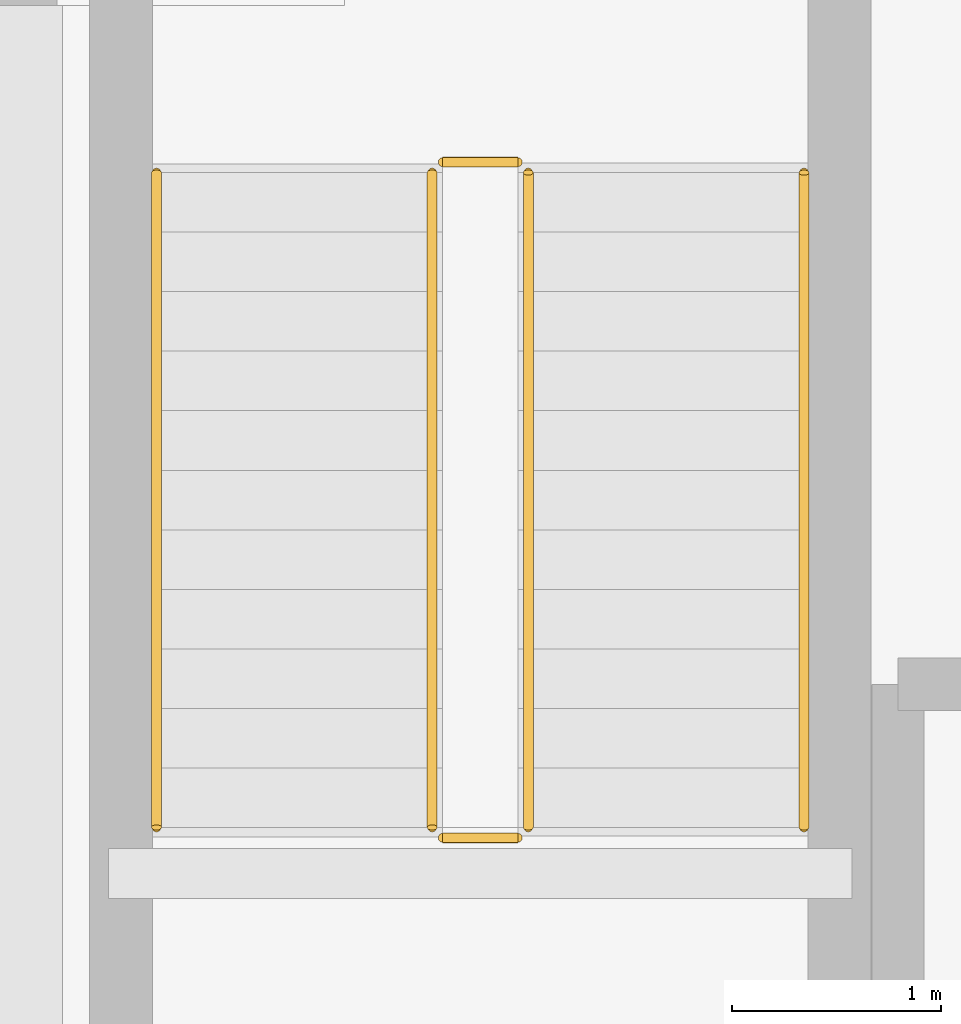
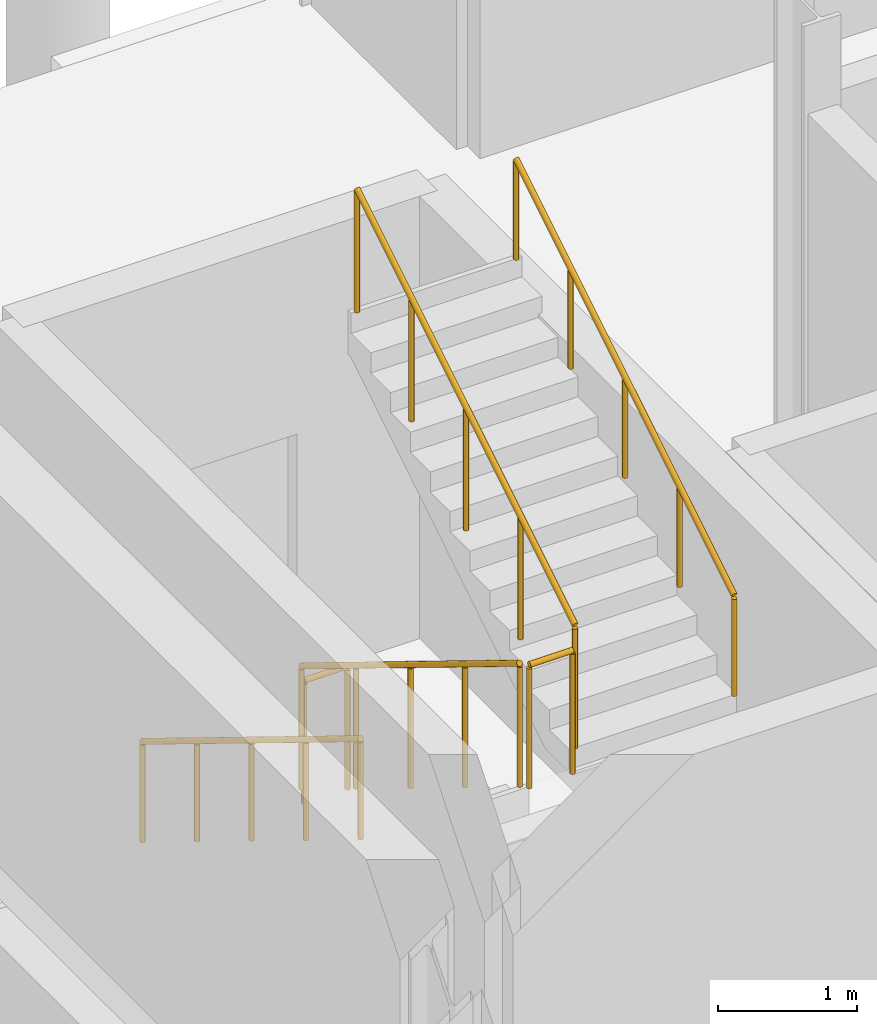
# One storey, part 45 of 50: 6 railings.
"""IFC4 building model written with IfcOpenShell, lengths in metres."""

import ifcopenshell
import ifcopenshell.guid

model = None  # the IFC model being written
_history = None  # IfcOwnerHistory: only IFC2X3 demands one
_inside = {}  # id of a spatial element -> (the spatial element, [elements in it])
_under = {}  # id of a project, library or spatial element -> (it, [spatial elements below it])
_declared = {}  # id of a project -> (the project, [libraries it declares])
_typed = {}  # id of a type object -> (the type object, [elements of that type])
_made_of = {}  # id of a material, layer set ... -> (it, [elements and type objects made of it])


def new_model(schema):
    """Start an empty IFC model of exactly this schema.

    Asked for "IFC4X3", IfcOpenShell would pick the latest addendum, in which some entities
    have other attributes; the version numbers below select the first issue.
    IFC2X3 requires an IfcOwnerHistory on every rooted entity: one is made here for all.
    """
    global model, _history
    if schema == "IFC4X3":
        model = ifcopenshell.file(schema_version=(4, 3, 0, 0))
    else:
        model = ifcopenshell.file(schema=schema)
    _inside.clear()
    _under.clear()
    _declared.clear()
    _typed.clear()
    _made_of.clear()
    _history = None
    if model.schema == "IFC2X3":
        org = make("IfcOrganization", Name="unknown")
        user = make(
            "IfcPersonAndOrganization",
            ThePerson=make("IfcPerson", FamilyName="unknown"),
            TheOrganization=org,
        )
        app = make(
            "IfcApplication",
            ApplicationDeveloper=org,
            Version="unknown",
            ApplicationFullName="unknown",
            ApplicationIdentifier="unknown",
        )
        _history = make(
            "IfcOwnerHistory",
            OwningUser=user,
            OwningApplication=app,
            ChangeAction="ADDED",
            CreationDate=0,
        )
    return model


def make(cls, **values):
    """One entity of the class cls with the attributes given. An attribute that is None is left unset."""
    return model.create_entity(
        cls, **{name: value for name, value in values.items() if value is not None}
    )


def rooted(cls, **values):
    """An entity with a GlobalId (a new one), such as an element, a storey or a relation."""
    return make(cls, GlobalId=ifcopenshell.guid.new(), OwnerHistory=_history, **values)


def si_unit(unit_type, name, prefix=None):
    """IfcSIUnit, for example si_unit("LENGTHUNIT", "METRE", prefix="MILLI")."""
    return make("IfcSIUnit", UnitType=unit_type, Prefix=prefix, Name=name)


def assignment(units):
    """IfcUnitAssignment: the units of a project."""
    return None if units is None else make("IfcUnitAssignment", Units=units)


def point(xyz):
    """IfcCartesianPoint."""
    return None if xyz is None else make("IfcCartesianPoint", Coordinates=xyz)


def direction(xyz):
    """IfcDirection."""
    return None if xyz is None else make("IfcDirection", DirectionRatios=xyz)


def frame(location, z_axis=None, x_axis=None):
    """IfcAxis2Placement3D, a coordinate frame: its origin and axes. An axis left out is left unset."""
    return make(
        "IfcAxis2Placement3D",
        Location=point(location),
        Axis=direction(z_axis),
        RefDirection=direction(x_axis),
    )


def frame_2d(location, x_axis=None):
    """IfcAxis2Placement2D, a coordinate frame in the plane: its origin and x axis."""
    return make(
        "IfcAxis2Placement2D", Location=point(location), RefDirection=direction(x_axis)
    )


def origin():
    """The frame at (0, 0, 0) with its axes left unset."""
    return frame((0.0, 0.0, 0.0))


def origin_2d():
    """The frame at (0, 0) in the plane with its x axis left unset."""
    return frame_2d((0.0, 0.0))


def place(relative_to, where):
    """IfcLocalPlacement: puts the frame where relative to a parent placement (None: the world)."""
    return make(
        "IfcLocalPlacement", PlacementRelTo=relative_to, RelativePlacement=where
    )


def context(
    kind, dimensions, precision=None, world=None, true_north=None, identifier=None
):
    """IfcGeometricRepresentationContext, for example the 3D "Model" context."""
    return make(
        "IfcGeometricRepresentationContext",
        ContextIdentifier=identifier,
        ContextType=kind,
        CoordinateSpaceDimension=dimensions,
        Precision=precision,
        WorldCoordinateSystem=world,
        TrueNorth=true_north,
    )


def subcontext(parent, identifier, kind, view, scale=None):
    """IfcGeometricRepresentationSubContext, for example "Body" below "Model"."""
    return make(
        "IfcGeometricRepresentationSubContext",
        ContextIdentifier=identifier,
        ContextType=kind,
        ParentContext=parent,
        TargetScale=scale,
        TargetView=view,
    )


def project(units=None, contexts=None):
    """IfcProject with its units and contexts."""
    return rooted(
        "IfcProject",
        Name="project",
        RepresentationContexts=contexts,
        UnitsInContext=assignment(units),
    )


def spatial(cls, under=None, at=None, **own):
    """A site, building, storey or space (cls), placed at a placement, below another one or the project."""
    s = rooted(cls, ObjectPlacement=at, **own)
    if under is not None:
        _under.setdefault(under.id(), (under, []))[1].append(s)
    return s


def profile(cls, at=None, kind="AREA", **sizes):
    """A parametric profile (cls). Its sizes go by their IFC names, for example OverallWidth=200.0."""
    return make(cls, ProfileType=kind, Position=at, **sizes)


def circle(**sizes):
    """IfcCircleProfileDef."""
    return profile("IfcCircleProfileDef", **sizes)


def extrude(swept, where, along, depth):
    """IfcExtrudedAreaSolid: the profile swept, set in the frame where, extruded along a direction by depth."""
    return make(
        "IfcExtrudedAreaSolid",
        SweptArea=swept,
        Position=where,
        ExtrudedDirection=direction(along),
        Depth=depth,
    )


def shape(context_of_items, identifier, shape_type, items):
    """IfcShapeRepresentation: the items that make up one representation, for example the "Body"."""
    return make(
        "IfcShapeRepresentation",
        ContextOfItems=context_of_items,
        RepresentationIdentifier=identifier,
        RepresentationType=shape_type,
        Items=items,
    )


def material(Name=None, Category=None):
    """IfcMaterial."""
    return make("IfcMaterial", Name=Name, Category=Category)


def layer(
    of_material, thickness, ventilated=None, Name=None, Category=None, Priority=None
):
    """IfcMaterialLayer: one layer of a wall or slab, of a material (None: an air gap)."""
    return make(
        "IfcMaterialLayer",
        Material=of_material,
        LayerThickness=thickness,
        IsVentilated=ventilated,
        Name=Name,
        Category=Category,
        Priority=Priority,
    )


def layer_set(layers, Name=None):
    """IfcMaterialLayerSet."""
    return make("IfcMaterialLayerSet", MaterialLayers=layers, LayerSetName=Name)


def made_of(thing, what):
    """Note that an element or type object is made of a material, layer set ...; save() writes the relation."""
    if what is not None:
        _made_of.setdefault(what.id(), (what, []))[1].append(thing)
    return thing


def type_object(cls, material=None, **own):
    """A type object (cls), such as IfcWallType, which elements share."""
    return made_of(rooted(cls, **own), material)


def element(
    cls,
    number,
    at=None,
    inside=None,
    cuts=None,
    type_object=None,
    material=None,
    context=None,
    identifier="Body",
    shape_type=None,
    held_by="IfcProductDefinitionShape",
    body=None,
    shapes=None,
    **own,
):
    """One element of the class cls, such as IfcWall. Its Tag is "e" and its number.

    at: its placement. inside: the storey or other place that contains it. cuts: it is an
    opening in that element (IfcRelVoidsElement). A single representation is given by context,
    identifier, shape_type and body (its items); several are given by shapes. held_by: the class
    of the entity that holds the representations. save() writes the other relations.
    """
    e = rooted(cls, Tag="e%d" % number, ObjectPlacement=at, **own)
    if body is not None:
        shapes = [shape(context, identifier, shape_type, body)]
    if shapes is not None:
        e.Representation = make(held_by, Representations=shapes)
    if inside is not None:
        _inside.setdefault(inside.id(), (inside, []))[1].append(e)
    if cuts is not None:
        rooted(
            "IfcRelVoidsElement", RelatingBuildingElement=cuts, RelatedOpeningElement=e
        )
    if type_object is not None:
        _typed.setdefault(type_object.id(), (type_object, []))[1].append(e)
    return made_of(e, material)


def aggregate(whole, parts):
    """IfcRelAggregates: a whole, such as a stair, and the parts it consists of."""
    return rooted("IfcRelAggregates", RelatingObject=whole, RelatedObjects=parts)


def save(model, path):
    """Write the relations noted so far, then the file.

    IfcRelAggregates (storeys below a building ...), IfcRelContainedInSpatialStructure (elements
    in a storey), IfcRelDefinesByType, IfcRelAssociatesMaterial and IfcRelDeclares: one each for
    every whole, place, type object, material and project.
    """
    for whole, parts in _under.values():
        aggregate(whole, parts)
    for where, things in _inside.values():
        rooted(
            "IfcRelContainedInSpatialStructure",
            RelatedElements=things,
            RelatingStructure=where,
        )
    for kind, things in _typed.values():
        rooted("IfcRelDefinesByType", RelatedObjects=things, RelatingType=kind)
    for what, things in _made_of.values():
        rooted("IfcRelAssociatesMaterial", RelatedObjects=things, RelatingMaterial=what)
    for by, libraries in _declared.values():
        rooted("IfcRelDeclares", RelatingContext=by, RelatedDefinitions=libraries)
    model.write(path)


model = new_model("IFC4")

# Units and contexts
model_context = context("Model", 3, precision=1e-05, world=origin(), true_north=direction((0.0, 1.0)))
body_context = subcontext(model_context, "Body", "Model", "MODEL_VIEW")
ifc_project = project(units=[si_unit("LENGTHUNIT", "METRE"), si_unit("AREAUNIT", "SQUARE_METRE"), si_unit("VOLUMEUNIT", "CUBIC_METRE"), si_unit("PLANEANGLEUNIT", "RADIAN"), si_unit("MASSUNIT", "GRAM", prefix="KILO")], contexts=[model_context])

# Site, building, storey
site_placement = place(None, origin())
site = spatial("IfcSite", under=ifc_project, at=site_placement, CompositionType="ELEMENT")
building_placement = place(site_placement, origin())
building = spatial("IfcBuilding", under=site, at=building_placement, Name="Narikvali Park Central Library", CompositionType="ELEMENT")
storey_placement = place(building_placement, frame((0.0, 0.0, -4.199951171875)))
storey = spatial("IfcBuildingStorey", under=building, at=storey_placement, Name="B1", CompositionType="ELEMENT", Elevation=-4.199951171875)

# Railings
ifc_material_1 = material(Name="Brushed Stainless Steel S355", Category="steel")
ifc_layer_1 = layer(ifc_material_1, 0.044921875, Name="Brushed Stainless Steel S355")
ifc_layer_set_1 = layer_set([ifc_layer_1], Name="Brushed Stainless Steel S355")
railing_type_1 = type_object("IfcRailingType", Name="Stair Tubular Steel Handrail 900", PredefinedType="HANDRAIL", material=ifc_layer_set_1)
railing_1_placement = place(storey_placement, frame((123.10009765625, 19.89990234375, 0.175048828125)))
element("IfcRailing", 1, at=railing_1_placement, inside=storey, type_object=railing_type_1, Name="B1 ST-11 stair handrail 1", PredefinedType="HANDRAIL", context=body_context, shape_type="SweptSolid", body=[
    extrude(circle(Radius=0.02392578125, at=origin_2d()), frame((0.0, 0.0, 0.8759765625), z_axis=(0.0, -0.852195625947, 0.523223293744), x_axis=(1.0, 0.0, 0.0)), (0.0, 0.0, 1.0), 3.6787109375),
    extrude(circle(Radius=0.02099609375, at=origin_2d()), origin(), (0.0, 0.0, 1.0), 0.851806640625),
    extrude(circle(Radius=0.02099609375, at=origin_2d()), frame((0.0, -0.78369140625, 0.481201171875)), (0.0, 0.0, 1.0), 0.851806640625),
    extrude(circle(Radius=0.02099609375, at=origin_2d()), frame((0.0, -1.5673828125, 0.96240234375)), (0.0, 0.0, 1.0), 0.851806640625),
    extrude(circle(Radius=0.02099609375, at=origin_2d()), frame((0.0, -2.351318359375, 1.443603515625)), (0.0, 0.0, 1.0), 0.851806640625),
    extrude(circle(Radius=0.02099609375, at=origin_2d()), frame((0.0, -3.135009765625, 1.9248046875)), (0.0, 0.0, 1.0), 0.851806640625),
])
railing_2_placement = place(storey_placement, frame((126.199951171875, 16.764892578125, 2.27490234375)))
element("IfcRailing", 2, at=railing_2_placement, inside=storey, type_object=railing_type_1, Name="B1 ST-11 stair handrail 2", PredefinedType="HANDRAIL", context=body_context, shape_type="SweptSolid", body=[
    extrude(circle(Radius=0.02392578125, at=origin_2d()), frame((0.0, 0.0, 0.8759765625), z_axis=(0.0, 0.852166034122, 0.523271488128), x_axis=(-1.0, 0.0, 0.0)), (0.0, 0.0, 1.0), 3.678955078125),
    extrude(circle(Radius=0.02099609375, at=origin_2d()), origin(), (0.0, 0.0, 1.0), 0.851806640625),
    extrude(circle(Radius=0.02099609375, at=origin_2d()), frame((0.0, 0.78369140625, 0.481201171875)), (0.0, 0.0, 1.0), 0.851806640625),
    extrude(circle(Radius=0.02099609375, at=origin_2d()), frame((0.0, 1.5673828125, 0.96240234375)), (0.0, 0.0, 1.0), 0.851806640625),
    extrude(circle(Radius=0.02099609375, at=origin_2d()), frame((0.0, 2.351318359375, 1.44384765625)), (0.0, 0.0, 1.0), 0.851806640625),
    extrude(circle(Radius=0.02099609375, at=origin_2d()), frame((0.0, 3.135009765625, 1.925048828125)), (0.0, 0.0, 1.0), 0.851806640625),
])
ifc_material_2 = material(Name="Powder-Coated Steel S275", Category="steel")
ifc_layer_2 = layer(ifc_material_2, 0.050048828125, Name="Powder-Coated Steel S275")
ifc_layer_set_2 = layer_set([ifc_layer_2], Name="Powder-Coated Steel S275")
railing_type_2 = type_object("IfcRailingType", Name="Stair Well Steel Guardrail 1100", PredefinedType="GUARDRAIL", material=ifc_layer_set_2)
railing_3_placement = place(storey_placement, frame((124.419921875, 19.89990234375, 0.175048828125)))
element("IfcRailing", 3, at=railing_3_placement, inside=storey, type_object=railing_type_2, Name="B1 ST-11 stair guard 1", PredefinedType="GUARDRAIL", context=body_context, shape_type="SweptSolid", body=[
    extrude(circle(Radius=0.02392578125, at=origin_2d()), frame((0.0, 0.0, 1.076171875), z_axis=(0.0, -0.852195625947, 0.523223293744), x_axis=(1.0, 0.0, 0.0)), (0.0, 0.0, 1.0), 3.6787109375),
    extrude(circle(Radius=0.02099609375, at=origin_2d()), origin(), (0.0, 0.0, 1.0), 1.052001953125),
    extrude(circle(Radius=0.02099609375, at=origin_2d()), frame((0.0, -0.78369140625, 0.481201171875)), (0.0, 0.0, 1.0), 1.052001953125),
    extrude(circle(Radius=0.02099609375, at=origin_2d()), frame((0.0, -1.5673828125, 0.96240234375)), (0.0, 0.0, 1.0), 1.052001953125),
    extrude(circle(Radius=0.02099609375, at=origin_2d()), frame((0.0, -2.351318359375, 1.443603515625)), (0.0, 0.0, 1.0), 1.052001953125),
    extrude(circle(Radius=0.02099609375, at=origin_2d()), frame((0.0, -3.135009765625, 1.9248046875)), (0.0, 0.0, 1.0), 1.052001953125),
])
railing_4_placement = place(storey_placement, frame((124.469970703125, 16.715087890625, 2.099853515625)))
element("IfcRailing", 4, at=railing_4_placement, inside=storey, type_object=railing_type_2, Name="B1 ST-11 stair guard 2", PredefinedType="GUARDRAIL", context=body_context, shape_type="SweptSolid", body=[
    extrude(circle(Radius=0.02392578125, at=origin_2d()), frame((0.0, 0.0, 1.076171875), z_axis=(1.0, 0.0, 0.0), x_axis=(0.0, 1.0, 0.0)), (0.0, 0.0, 1.0), 0.360107421875),
    extrude(circle(Radius=0.02099609375, at=origin_2d()), origin(), (0.0, 0.0, 1.0), 1.052001953125),
    extrude(circle(Radius=0.02099609375, at=origin_2d()), frame((0.360107421875, 0.0, 0.0)), (0.0, 0.0, 1.0), 1.052001953125),
])
railing_5_placement = place(storey_placement, frame((124.8798828125, 16.764892578125, 2.27490234375)))
element("IfcRailing", 5, at=railing_5_placement, inside=storey, type_object=railing_type_2, Name="B1 ST-11 stair guard 3", PredefinedType="GUARDRAIL", context=body_context, shape_type="SweptSolid", body=[
    extrude(circle(Radius=0.02392578125, at=origin_2d()), frame((0.0, 0.0, 1.076171875), z_axis=(0.0, 0.852166034122, 0.523271488128), x_axis=(-1.0, 0.0, 0.0)), (0.0, 0.0, 1.0), 3.678955078125),
    extrude(circle(Radius=0.02099609375, at=origin_2d()), origin(), (0.0, 0.0, 1.0), 1.052001953125),
    extrude(circle(Radius=0.02099609375, at=origin_2d()), frame((0.0, 0.78369140625, 0.481201171875)), (0.0, 0.0, 1.0), 1.052001953125),
    extrude(circle(Radius=0.02099609375, at=origin_2d()), frame((0.0, 1.5673828125, 0.96240234375)), (0.0, 0.0, 1.0), 1.052001953125),
    extrude(circle(Radius=0.02099609375, at=origin_2d()), frame((0.0, 2.351318359375, 1.44384765625)), (0.0, 0.0, 1.0), 1.052001953125),
    extrude(circle(Radius=0.02099609375, at=origin_2d()), frame((0.0, 3.135009765625, 1.925048828125)), (0.0, 0.0, 1.0), 1.052001953125),
])
railing_6_placement = place(storey_placement, frame((124.469970703125, 19.949951171875, 0.0)))
element("IfcRailing", 6, at=railing_6_placement, inside=storey, type_object=railing_type_2, Name="B1 ST-11 stair guard 4", PredefinedType="GUARDRAIL", context=body_context, shape_type="SweptSolid", body=[
    extrude(circle(Radius=0.02392578125, at=origin_2d()), frame((0.0, 0.0, 1.076171875), z_axis=(1.0, 0.0, 0.0), x_axis=(0.0, 1.0, 0.0)), (0.0, 0.0, 1.0), 0.360107421875),
    extrude(circle(Radius=0.02099609375, at=origin_2d()), origin(), (0.0, 0.0, 1.0), 1.052001953125),
    extrude(circle(Radius=0.02099609375, at=origin_2d()), frame((0.360107421875, 0.0, 0.0)), (0.0, 0.0, 1.0), 1.052001953125),
])

save(model, "model.ifc")
